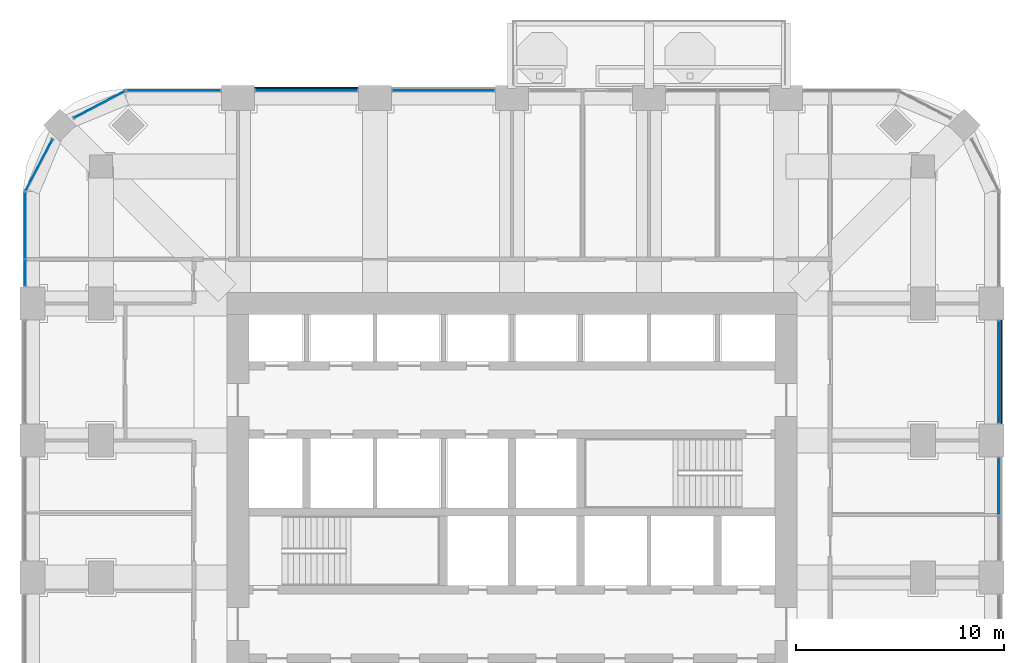
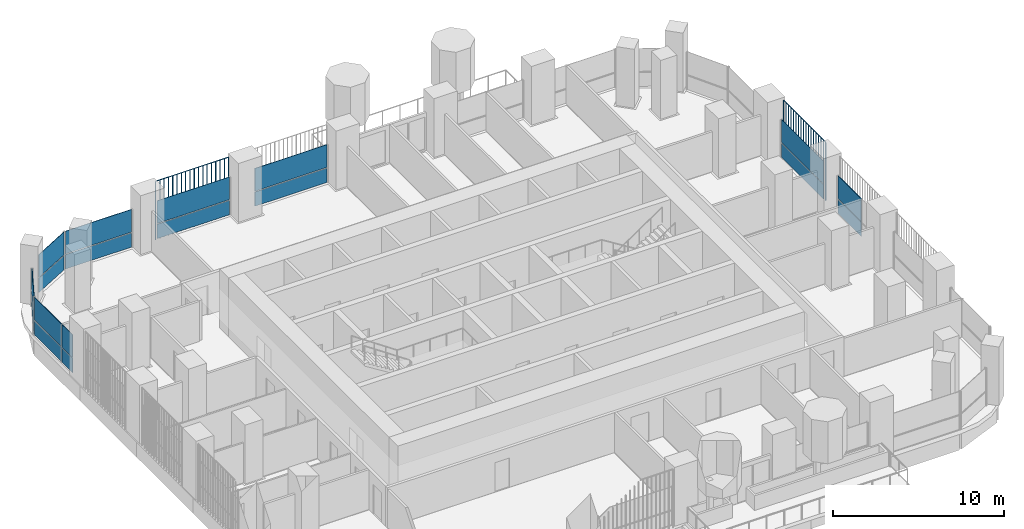
# One storey, part 11 of 19: 20 plates, 8 elements without a shape of their own.
"""IFC4 building model written with IfcOpenShell, lengths in metres."""

from ifc_helpers import new_model, si_unit, direction, frame, origin, origin_2d, place, context, subcontext, project, spatial, polyline, rectangle, outline, extrude, material, layer, layer_set, type_object, element, aggregate, save


model = new_model("IFC4")

# Units and contexts
model_context = context("Model", 3, precision=1e-05, world=origin(), true_north=direction((0.0, 1.0)))
body_context = subcontext(model_context, "Body", "Model", "MODEL_VIEW")
ifc_project = project(units=[si_unit("LENGTHUNIT", "METRE"), si_unit("AREAUNIT", "SQUARE_METRE"), si_unit("VOLUMEUNIT", "CUBIC_METRE"), si_unit("PLANEANGLEUNIT", "RADIAN"), si_unit("MASSUNIT", "GRAM", prefix="KILO")], contexts=[model_context])

# Site, building, storey
site_placement = place(None, origin())
site = spatial("IfcSite", under=ifc_project, at=site_placement, CompositionType="ELEMENT")
building_placement = place(site_placement, origin())
building = spatial("IfcBuilding", under=site, at=building_placement, Name="Cobogo Forest Laboratory Tower", CompositionType="ELEMENT")
storey_placement = place(building_placement, frame((0.0, 0.0, 172.5)))
storey = spatial("IfcBuildingStorey", under=building, at=storey_placement, Name="L39", CompositionType="ELEMENT", Elevation=172.5)

# Curtain wall, plates
ifc_material_1 = material(Name="Aluminium curtain wall", Category="aluminium")
curtain_wall_type = type_object("IfcCurtainWallType", Name="CW-2 unitised curtain wall, solar control glazing, laboratory floors zones C and D", PredefinedType="USERDEFINED", material=ifc_material_1)
curtain_wall_1_placement = place(storey_placement, origin())
curtain_wall_1 = element("IfcCurtainWall", 1, at=curtain_wall_1_placement, inside=storey, type_object=curtain_wall_type, Name="Curtain wall 11 L39", ObjectType="UNITISED CURTAIN WALL", PredefinedType="USERDEFINED")
ifc_material_2 = material(Name="Solar control insulated glass", Category="glass")
ifc_layer = layer(ifc_material_2, 0.031982421875)
ifc_layer_set = layer_set([ifc_layer], Name="GP-2 solar control glass unit 32")
plate_type_1 = type_object("IfcPlateType", Name="GP-2 solar control glass unit 32", PredefinedType="CURTAIN_PANEL", material=ifc_layer_set)
plate_1_placement = place(storey_placement, frame((49.85009765625, 24.18505859375, 0.0), z_axis=(0.0, 0.0, 1.0), x_axis=(0.0, 1.0, 0.0)))
plate_1 = element("IfcPlate", 2, at=plate_1_placement, type_object=plate_type_1, Name="CW-2 panel 2.1", PredefinedType="CURTAIN_PANEL", context=body_context, shape_type="SweptSolid", body=[
    extrude(rectangle(XDim=2.7099609375, YDim=0.031982421875, at=origin_2d()), origin(), (0.0, 0.0, 1.0), 1.02001953125),
])
plate_2_placement = place(storey_placement, frame((49.85009765625, 24.18505859375, 1.079833984375), z_axis=(0.0, 0.0, 1.0), x_axis=(0.0, 1.0, 0.0)))
plate_2 = element("IfcPlate", 3, at=plate_2_placement, type_object=plate_type_1, Name="CW-2 panel 2.2", PredefinedType="CURTAIN_PANEL", context=body_context, shape_type="SweptSolid", body=[
    extrude(rectangle(XDim=2.7099609375, YDim=0.031982421875, at=origin_2d()), origin(), (0.0, 0.0, 1.0), 1.6201171875),
])
aggregate(curtain_wall_1, [plate_1, plate_2])

curtain_wall_2_placement = place(storey_placement, origin())
curtain_wall_2 = element("IfcCurtainWall", 4, at=curtain_wall_2_placement, inside=storey, type_object=curtain_wall_type, Name="Curtain wall 12 L39", ObjectType="UNITISED CURTAIN WALL", PredefinedType="USERDEFINED")
plate_3_placement = place(storey_placement, frame((49.85009765625, 29.699951171875, 0.0), z_axis=(0.0, 0.0, 1.0), x_axis=(0.0, 1.0, 0.0)))
plate_3 = element("IfcPlate", 5, at=plate_3_placement, type_object=plate_type_1, Name="CW-2 panel 1.1", PredefinedType="CURTAIN_PANEL", context=body_context, shape_type="SweptSolid", body=[
    extrude(rectangle(XDim=4.8798828125, YDim=0.031982421875, at=origin_2d()), origin(), (0.0, 0.0, 1.0), 1.02001953125),
])
plate_4_placement = place(storey_placement, frame((49.85009765625, 29.699951171875, 1.079833984375), z_axis=(0.0, 0.0, 1.0), x_axis=(0.0, 1.0, 0.0)))
plate_4 = element("IfcPlate", 6, at=plate_4_placement, type_object=plate_type_1, Name="CW-2 panel 1.2", PredefinedType="CURTAIN_PANEL", context=body_context, shape_type="SweptSolid", body=[
    extrude(rectangle(XDim=4.8798828125, YDim=0.031982421875, at=origin_2d()), origin(), (0.0, 0.0, 1.0), 1.6201171875),
])
aggregate(curtain_wall_2, [plate_3, plate_4])

curtain_wall_3_placement = place(storey_placement, origin())
curtain_wall_3 = element("IfcCurtainWall", 7, at=curtain_wall_3_placement, inside=storey, type_object=curtain_wall_type, Name="Curtain wall 19 L39", ObjectType="UNITISED CURTAIN WALL", PredefinedType="USERDEFINED")
plate_5_placement = place(storey_placement, frame((23.10009765625, 43.25, 0.0), z_axis=(0.0, 0.0, 1.0), x_axis=(-1.0, 0.0, 0.0)))
plate_5 = element("IfcPlate", 8, at=plate_5_placement, type_object=plate_type_1, Name="CW-2 panel 1.1", PredefinedType="CURTAIN_PANEL", context=body_context, shape_type="SweptSolid", body=[
    extrude(rectangle(XDim=4.8798828125, YDim=0.031982421875, at=origin_2d()), origin(), (0.0, 0.0, 1.0), 1.02001953125),
])
plate_6_placement = place(storey_placement, frame((23.10009765625, 43.25, 1.079833984375), z_axis=(0.0, 0.0, 1.0), x_axis=(-1.0, 0.0, 0.0)))
plate_6 = element("IfcPlate", 9, at=plate_6_placement, type_object=plate_type_1, Name="CW-2 panel 1.2", PredefinedType="CURTAIN_PANEL", context=body_context, shape_type="SweptSolid", body=[
    extrude(rectangle(XDim=4.8798828125, YDim=0.031982421875, at=origin_2d()), origin(), (0.0, 0.0, 1.0), 1.6201171875),
])
aggregate(curtain_wall_3, [plate_5, plate_6])

curtain_wall_4_placement = place(storey_placement, origin())
curtain_wall_4 = element("IfcCurtainWall", 10, at=curtain_wall_4_placement, inside=storey, type_object=curtain_wall_type, Name="Curtain wall 20 L39", ObjectType="UNITISED CURTAIN WALL", PredefinedType="USERDEFINED")
plate_7_placement = place(storey_placement, frame((16.5, 43.25, 0.0), z_axis=(0.0, 0.0, 1.0), x_axis=(-1.0, 0.0, 0.0)))
plate_7 = element("IfcPlate", 11, at=plate_7_placement, type_object=plate_type_1, Name="CW-2 panel 1.1", PredefinedType="CURTAIN_PANEL", context=body_context, shape_type="SweptSolid", body=[
    extrude(rectangle(XDim=4.8798828125, YDim=0.031982421875, at=origin_2d()), origin(), (0.0, 0.0, 1.0), 1.02001953125),
])
plate_8_placement = place(storey_placement, frame((16.5, 43.25, 1.079833984375), z_axis=(0.0, 0.0, 1.0), x_axis=(-1.0, 0.0, 0.0)))
plate_8 = element("IfcPlate", 12, at=plate_8_placement, type_object=plate_type_1, Name="CW-2 panel 1.2", PredefinedType="CURTAIN_PANEL", context=body_context, shape_type="SweptSolid", body=[
    extrude(rectangle(XDim=4.8798828125, YDim=0.031982421875, at=origin_2d()), origin(), (0.0, 0.0, 1.0), 1.6201171875),
])
aggregate(curtain_wall_4, [plate_7, plate_8])

curtain_wall_5_placement = place(storey_placement, origin())
curtain_wall_5 = element("IfcCurtainWall", 13, at=curtain_wall_5_placement, inside=storey, type_object=curtain_wall_type, Name="Curtain wall 21 L39", ObjectType="UNITISED CURTAIN WALL", PredefinedType="USERDEFINED")
plate_9_placement = place(storey_placement, frame((10.10009765625, 43.25, 0.0), z_axis=(0.0, 0.0, 1.0), x_axis=(-1.0, 0.0, 0.0)))
plate_9 = element("IfcPlate", 14, at=plate_9_placement, type_object=plate_type_1, Name="CW-2 panel 1.1", PredefinedType="CURTAIN_PANEL", context=body_context, shape_type="SweptSolid", body=[
    extrude(rectangle(XDim=4.47998046875, YDim=0.031982421875, at=origin_2d()), origin(), (0.0, 0.0, 1.0), 1.02001953125),
])
plate_10_placement = place(storey_placement, frame((10.10009765625, 43.25, 1.079833984375), z_axis=(0.0, 0.0, 1.0), x_axis=(-1.0, 0.0, 0.0)))
plate_10 = element("IfcPlate", 15, at=plate_10_placement, type_object=plate_type_1, Name="CW-2 panel 1.2", PredefinedType="CURTAIN_PANEL", context=body_context, shape_type="SweptSolid", body=[
    extrude(rectangle(XDim=4.47998046875, YDim=0.031982421875, at=origin_2d()), origin(), (0.0, 0.0, 1.0), 1.6201171875),
])
aggregate(curtain_wall_5, [plate_9, plate_10])

curtain_wall_6_placement = place(storey_placement, origin())
curtain_wall_6 = element("IfcCurtainWall", 16, at=curtain_wall_6_placement, inside=storey, type_object=curtain_wall_type, Name="Curtain wall 22 L39", ObjectType="UNITISED CURTAIN WALL", PredefinedType="USERDEFINED")
plate_11_placement = place(storey_placement, frame((6.5244140625, 42.581298828125, 0.0), z_axis=(0.0, 0.0, 1.0), x_axis=(-0.885686484356, -0.464283804832, 0.0)))
plate_11 = element("IfcPlate", 17, at=plate_11_placement, type_object=plate_type_1, Name="CW-2 panel 1.1", PredefinedType="CURTAIN_PANEL", context=body_context, shape_type="SweptSolid", body=[
    extrude(rectangle(XDim=2.76025390625, YDim=0.031982421875, at=origin_2d()), origin(), (0.0, 0.0, 1.0), 1.02001953125),
])
plate_12_placement = place(storey_placement, frame((6.5244140625, 42.581298828125, 1.079833984375), z_axis=(0.0, 0.0, 1.0), x_axis=(-0.885686484356, -0.464283804832, 0.0)))
plate_12 = element("IfcPlate", 18, at=plate_12_placement, type_object=plate_type_1, Name="CW-2 panel 1.2", PredefinedType="CURTAIN_PANEL", context=body_context, shape_type="SweptSolid", body=[
    extrude(rectangle(XDim=2.76025390625, YDim=0.031982421875, at=origin_2d()), origin(), (0.0, 0.0, 1.0), 1.6201171875),
])
aggregate(curtain_wall_6, [plate_11, plate_12])

curtain_wall_7_placement = place(storey_placement, origin())
curtain_wall_7 = element("IfcCurtainWall", 19, at=curtain_wall_7_placement, inside=storey, type_object=curtain_wall_type, Name="Curtain wall 23 L39", ObjectType="UNITISED CURTAIN WALL", PredefinedType="USERDEFINED")
plate_13_placement = place(storey_placement, frame((3.61865234375, 39.675537109375, 0.0), z_axis=(0.0, 0.0, 1.0), x_axis=(-0.464283804832, -0.885686484356, 0.0)))
plate_13 = element("IfcPlate", 20, at=plate_13_placement, type_object=plate_type_1, Name="CW-2 panel 1.1", PredefinedType="CURTAIN_PANEL", context=body_context, shape_type="SweptSolid", body=[
    extrude(rectangle(XDim=2.76025390625, YDim=0.031982421875, at=origin_2d()), origin(), (0.0, 0.0, 1.0), 1.02001953125),
])
plate_14_placement = place(storey_placement, frame((3.61865234375, 39.675537109375, 1.079833984375), z_axis=(0.0, 0.0, 1.0), x_axis=(-0.464283804832, -0.885686484356, 0.0)))
plate_14 = element("IfcPlate", 21, at=plate_14_placement, type_object=plate_type_1, Name="CW-2 panel 1.2", PredefinedType="CURTAIN_PANEL", context=body_context, shape_type="SweptSolid", body=[
    extrude(rectangle(XDim=2.76025390625, YDim=0.031982421875, at=origin_2d()), origin(), (0.0, 0.0, 1.0), 1.6201171875),
])
aggregate(curtain_wall_7, [plate_13, plate_14])

curtain_wall_8_placement = place(storey_placement, origin())
curtain_wall_8 = element("IfcCurtainWall", 22, at=curtain_wall_8_placement, inside=storey, type_object=curtain_wall_type, Name="Curtain wall 24 L39", ObjectType="UNITISED CURTAIN WALL", PredefinedType="USERDEFINED")
plate_15_placement = place(storey_placement, frame((2.949951171875, 36.74755859375, 0.0), z_axis=(0.0, 0.0, 1.0), x_axis=(0.0, -1.0, 0.0)))
plate_15 = element("IfcPlate", 23, at=plate_15_placement, type_object=plate_type_1, Name="CW-2 panel 1.1", PredefinedType="CURTAIN_PANEL", context=body_context, shape_type="SweptSolid", body=[
    extrude(rectangle(XDim=3.18505859375, YDim=0.031982421875, at=origin_2d()), origin(), (0.0, 0.0, 1.0), 1.02001953125),
])
plate_16_placement = place(storey_placement, frame((2.949951171875, 36.74755859375, 1.079833984375), z_axis=(0.0, 0.0, 1.0), x_axis=(0.0, -1.0, 0.0)))
plate_16 = element("IfcPlate", 24, at=plate_16_placement, type_object=plate_type_1, Name="CW-2 panel 1.2", PredefinedType="CURTAIN_PANEL", context=body_context, shape_type="SweptSolid", body=[
    extrude(rectangle(XDim=3.18505859375, YDim=0.031982421875, at=origin_2d()), origin(), (0.0, 0.0, 1.0), 1.6201171875),
])
plate_17_placement = place(storey_placement, frame((2.949951171875, 34.4775390625, 0.0), z_axis=(0.0, 0.0, 1.0), x_axis=(0.0, -1.0, 0.0)))
plate_17 = element("IfcPlate", 25, at=plate_17_placement, type_object=plate_type_1, Name="CW-2 panel 2.1", PredefinedType="CURTAIN_PANEL", context=body_context, shape_type="SweptSolid", body=[
    extrude(rectangle(XDim=1.235107421875, YDim=0.031982421875, at=origin_2d()), origin(), (0.0, 0.0, 1.0), 1.02001953125),
])
plate_18_placement = place(storey_placement, frame((2.949951171875, 34.4775390625, 1.079833984375), z_axis=(0.0, 0.0, 1.0), x_axis=(0.0, -1.0, 0.0)))
plate_18 = element("IfcPlate", 26, at=plate_18_placement, type_object=plate_type_1, Name="CW-2 panel 2.2", PredefinedType="CURTAIN_PANEL", context=body_context, shape_type="SweptSolid", body=[
    extrude(rectangle(XDim=1.235107421875, YDim=0.031982421875, at=origin_2d()), origin(), (0.0, 0.0, 1.0), 1.6201171875),
])
aggregate(curtain_wall_8, [plate_15, plate_16, plate_17, plate_18])

# Plates
ifc_material_3 = material(Name="Terracotta", Category="masonry")
plate_type_2 = type_object("IfcPlateType", Name="TB1 terracotta baguette screen", PredefinedType="USERDEFINED", material=ifc_material_3)
plate_19_placement = place(storey_placement, frame((49.977783203125, 27.231201171875, -0.14990234375)))
element("IfcPlate", 27, at=plate_19_placement, inside=storey, type_object=plate_type_2, Name="Baguette screen E3 L39", ObjectType="BAGUETTE SCREEN", PredefinedType="USERDEFINED", context=body_context, shape_type="SweptSolid", body=[
    extrude(outline(polyline([(0.02880859375, 0.011962890625), (0.011962890625, 0.02880859375), (-0.011962890625, 0.02880859375), (-0.02880859375, 0.011962890625), (-0.02880859375, -0.011962890625), (-0.011962890625, -0.02880859375), (0.011962890625, -0.02880859375), (0.02880859375, -0.011962890625), (0.02880859375, 0.011962890625)])), frame((0.0, 0.0, 4.168701171875), z_axis=(0.0, 1.0, 0.0), x_axis=(-1.0, 0.0, 0.0)), (0.0, 0.0, 1.0), 4.9375),
    extrude(outline(polyline([(0.02880859375, 0.011962890625), (0.011962890625, 0.02880859375), (-0.011962890625, 0.02880859375), (-0.02880859375, 0.011962890625), (-0.02880859375, -0.011962890625), (-0.011962890625, -0.02880859375), (0.011962890625, -0.02880859375), (0.02880859375, -0.011962890625), (0.02880859375, 0.011962890625)])), origin(), (0.0, 0.0, 1.0), 4.137451171875),
    extrude(outline(polyline([(0.02880859375, 0.011962890625), (0.011962890625, 0.02880859375), (-0.011962890625, 0.02880859375), (-0.02880859375, 0.011962890625), (-0.02880859375, -0.011962890625), (-0.011962890625, -0.02880859375), (0.011962890625, -0.02880859375), (0.02880859375, -0.011962890625), (0.02880859375, 0.011962890625)])), frame((0.0, 0.29052734375, 0.0)), (0.0, 0.0, 1.0), 4.137451171875),
    extrude(outline(polyline([(0.02880859375, 0.011962890625), (0.011962890625, 0.02880859375), (-0.011962890625, 0.02880859375), (-0.02880859375, 0.011962890625), (-0.02880859375, -0.011962890625), (-0.011962890625, -0.02880859375), (0.011962890625, -0.02880859375), (0.02880859375, -0.011962890625), (0.02880859375, 0.011962890625)])), frame((0.0, 0.580810546875, 0.0)), (0.0, 0.0, 1.0), 4.137451171875),
    extrude(outline(polyline([(0.02880859375, 0.011962890625), (0.011962890625, 0.02880859375), (-0.011962890625, 0.02880859375), (-0.02880859375, 0.011962890625), (-0.02880859375, -0.011962890625), (-0.011962890625, -0.02880859375), (0.011962890625, -0.02880859375), (0.02880859375, -0.011962890625), (0.02880859375, 0.011962890625)])), frame((0.0, 0.871337890625, 0.0)), (0.0, 0.0, 1.0), 4.137451171875),
    extrude(outline(polyline([(0.02880859375, 0.011962890625), (0.011962890625, 0.02880859375), (-0.011962890625, 0.02880859375), (-0.02880859375, 0.011962890625), (-0.02880859375, -0.011962890625), (-0.011962890625, -0.02880859375), (0.011962890625, -0.02880859375), (0.02880859375, -0.011962890625), (0.02880859375, 0.011962890625)])), frame((0.0, 1.161865234375, 0.0)), (0.0, 0.0, 1.0), 4.137451171875),
    extrude(outline(polyline([(0.02880859375, 0.011962890625), (0.011962890625, 0.02880859375), (-0.011962890625, 0.02880859375), (-0.02880859375, 0.011962890625), (-0.02880859375, -0.011962890625), (-0.011962890625, -0.02880859375), (0.011962890625, -0.02880859375), (0.02880859375, -0.011962890625), (0.02880859375, 0.011962890625)])), frame((0.0, 1.4521484375, 0.0)), (0.0, 0.0, 1.0), 4.137451171875),
    extrude(outline(polyline([(0.02880859375, 0.011962890625), (0.011962890625, 0.02880859375), (-0.011962890625, 0.02880859375), (-0.02880859375, 0.011962890625), (-0.02880859375, -0.011962890625), (-0.011962890625, -0.02880859375), (0.011962890625, -0.02880859375), (0.02880859375, -0.011962890625), (0.02880859375, 0.011962890625)])), frame((0.0, 1.74267578125, 0.0)), (0.0, 0.0, 1.0), 4.137451171875),
    extrude(outline(polyline([(0.02880859375, 0.011962890625), (0.011962890625, 0.02880859375), (-0.011962890625, 0.02880859375), (-0.02880859375, 0.011962890625), (-0.02880859375, -0.011962890625), (-0.011962890625, -0.02880859375), (0.011962890625, -0.02880859375), (0.02880859375, -0.011962890625), (0.02880859375, 0.011962890625)])), frame((0.0, 2.033203125, 0.0)), (0.0, 0.0, 1.0), 4.137451171875),
    extrude(outline(polyline([(0.02880859375, 0.011962890625), (0.011962890625, 0.02880859375), (-0.011962890625, 0.02880859375), (-0.02880859375, 0.011962890625), (-0.02880859375, -0.011962890625), (-0.011962890625, -0.02880859375), (0.011962890625, -0.02880859375), (0.02880859375, -0.011962890625), (0.02880859375, 0.011962890625)])), frame((0.0, 2.323486328125, 0.0)), (0.0, 0.0, 1.0), 4.137451171875),
    extrude(outline(polyline([(0.02880859375, 0.011962890625), (0.011962890625, 0.02880859375), (-0.011962890625, 0.02880859375), (-0.02880859375, 0.011962890625), (-0.02880859375, -0.011962890625), (-0.011962890625, -0.02880859375), (0.011962890625, -0.02880859375), (0.02880859375, -0.011962890625), (0.02880859375, 0.011962890625)])), frame((0.0, 2.614013671875, 0.0)), (0.0, 0.0, 1.0), 4.137451171875),
    extrude(outline(polyline([(0.02880859375, 0.011962890625), (0.011962890625, 0.02880859375), (-0.011962890625, 0.02880859375), (-0.02880859375, 0.011962890625), (-0.02880859375, -0.011962890625), (-0.011962890625, -0.02880859375), (0.011962890625, -0.02880859375), (0.02880859375, -0.011962890625), (0.02880859375, 0.011962890625)])), frame((0.0, 2.904296875, 0.0)), (0.0, 0.0, 1.0), 4.137451171875),
    extrude(outline(polyline([(0.02880859375, 0.011962890625), (0.011962890625, 0.02880859375), (-0.011962890625, 0.02880859375), (-0.02880859375, 0.011962890625), (-0.02880859375, -0.011962890625), (-0.011962890625, -0.02880859375), (0.011962890625, -0.02880859375), (0.02880859375, -0.011962890625), (0.02880859375, 0.011962890625)])), frame((0.0, 3.19482421875, 0.0)), (0.0, 0.0, 1.0), 4.137451171875),
    extrude(outline(polyline([(0.02880859375, 0.011962890625), (0.011962890625, 0.02880859375), (-0.011962890625, 0.02880859375), (-0.02880859375, 0.011962890625), (-0.02880859375, -0.011962890625), (-0.011962890625, -0.02880859375), (0.011962890625, -0.02880859375), (0.02880859375, -0.011962890625), (0.02880859375, 0.011962890625)])), frame((0.0, 3.4853515625, 0.0)), (0.0, 0.0, 1.0), 4.137451171875),
    extrude(outline(polyline([(0.02880859375, 0.011962890625), (0.011962890625, 0.02880859375), (-0.011962890625, 0.02880859375), (-0.02880859375, 0.011962890625), (-0.02880859375, -0.011962890625), (-0.011962890625, -0.02880859375), (0.011962890625, -0.02880859375), (0.02880859375, -0.011962890625), (0.02880859375, 0.011962890625)])), frame((0.0, 3.775634765625, 0.0)), (0.0, 0.0, 1.0), 4.137451171875),
    extrude(outline(polyline([(0.02880859375, 0.011962890625), (0.011962890625, 0.02880859375), (-0.011962890625, 0.02880859375), (-0.02880859375, 0.011962890625), (-0.02880859375, -0.011962890625), (-0.011962890625, -0.02880859375), (0.011962890625, -0.02880859375), (0.02880859375, -0.011962890625), (0.02880859375, 0.011962890625)])), frame((0.0, 4.066162109375, 0.0)), (0.0, 0.0, 1.0), 4.137451171875),
    extrude(outline(polyline([(0.02880859375, 0.011962890625), (0.011962890625, 0.02880859375), (-0.011962890625, 0.02880859375), (-0.02880859375, 0.011962890625), (-0.02880859375, -0.011962890625), (-0.011962890625, -0.02880859375), (0.011962890625, -0.02880859375), (0.02880859375, -0.011962890625), (0.02880859375, 0.011962890625)])), frame((0.0, 4.356689453125, 0.0)), (0.0, 0.0, 1.0), 4.137451171875),
    extrude(outline(polyline([(0.02880859375, 0.011962890625), (0.011962890625, 0.02880859375), (-0.011962890625, 0.02880859375), (-0.02880859375, 0.011962890625), (-0.02880859375, -0.011962890625), (-0.011962890625, -0.02880859375), (0.011962890625, -0.02880859375), (0.02880859375, -0.011962890625), (0.02880859375, 0.011962890625)])), frame((0.0, 4.64697265625, 0.0)), (0.0, 0.0, 1.0), 4.137451171875),
    extrude(outline(polyline([(0.02880859375, 0.011962890625), (0.011962890625, 0.02880859375), (-0.011962890625, 0.02880859375), (-0.02880859375, 0.011962890625), (-0.02880859375, -0.011962890625), (-0.011962890625, -0.02880859375), (0.011962890625, -0.02880859375), (0.02880859375, -0.011962890625), (0.02880859375, 0.011962890625)])), frame((0.0, 4.9375, 0.0)), (0.0, 0.0, 1.0), 4.137451171875),
])
plate_20_placement = place(storey_placement, frame((14.03125, 43.3779296875, -0.14990234375)))
element("IfcPlate", 28, at=plate_20_placement, inside=storey, type_object=plate_type_2, Name="Baguette screen N1 L39", ObjectType="BAGUETTE SCREEN", PredefinedType="USERDEFINED", context=body_context, shape_type="SweptSolid", body=[
    extrude(outline(polyline([(0.02880859375, 0.011962890625), (0.011962890625, 0.02880859375), (-0.011962890625, 0.02880859375), (-0.02880859375, 0.011962890625), (-0.02880859375, -0.011962890625), (-0.011962890625, -0.02880859375), (0.011962890625, -0.02880859375), (0.02880859375, -0.011962890625), (0.02880859375, 0.011962890625)])), frame((0.0, 0.0, 4.168701171875), z_axis=(1.0, 0.0, 0.0), x_axis=(0.0, 1.0, 0.0)), (0.0, 0.0, 1.0), 4.9375),
    extrude(outline(polyline([(0.02880859375, 0.011962890625), (0.011962890625, 0.02880859375), (-0.011962890625, 0.02880859375), (-0.02880859375, 0.011962890625), (-0.02880859375, -0.011962890625), (-0.011962890625, -0.02880859375), (0.011962890625, -0.02880859375), (0.02880859375, -0.011962890625), (0.02880859375, 0.011962890625)])), origin(), (0.0, 0.0, 1.0), 4.137451171875),
    extrude(outline(polyline([(0.02880859375, 0.011962890625), (0.011962890625, 0.02880859375), (-0.011962890625, 0.02880859375), (-0.02880859375, 0.011962890625), (-0.02880859375, -0.011962890625), (-0.011962890625, -0.02880859375), (0.011962890625, -0.02880859375), (0.02880859375, -0.011962890625), (0.02880859375, 0.011962890625)])), frame((0.29052734375, 0.0, 0.0)), (0.0, 0.0, 1.0), 4.137451171875),
    extrude(outline(polyline([(0.02880859375, 0.011962890625), (0.011962890625, 0.02880859375), (-0.011962890625, 0.02880859375), (-0.02880859375, 0.011962890625), (-0.02880859375, -0.011962890625), (-0.011962890625, -0.02880859375), (0.011962890625, -0.02880859375), (0.02880859375, -0.011962890625), (0.02880859375, 0.011962890625)])), frame((0.580810546875, 0.0, 0.0)), (0.0, 0.0, 1.0), 4.137451171875),
    extrude(outline(polyline([(0.02880859375, 0.011962890625), (0.011962890625, 0.02880859375), (-0.011962890625, 0.02880859375), (-0.02880859375, 0.011962890625), (-0.02880859375, -0.011962890625), (-0.011962890625, -0.02880859375), (0.011962890625, -0.02880859375), (0.02880859375, -0.011962890625), (0.02880859375, 0.011962890625)])), frame((0.871337890625, 0.0, 0.0)), (0.0, 0.0, 1.0), 4.137451171875),
    extrude(outline(polyline([(0.02880859375, 0.011962890625), (0.011962890625, 0.02880859375), (-0.011962890625, 0.02880859375), (-0.02880859375, 0.011962890625), (-0.02880859375, -0.011962890625), (-0.011962890625, -0.02880859375), (0.011962890625, -0.02880859375), (0.02880859375, -0.011962890625), (0.02880859375, 0.011962890625)])), frame((1.161865234375, 0.0, 0.0)), (0.0, 0.0, 1.0), 4.137451171875),
    extrude(outline(polyline([(0.02880859375, 0.011962890625), (0.011962890625, 0.02880859375), (-0.011962890625, 0.02880859375), (-0.02880859375, 0.011962890625), (-0.02880859375, -0.011962890625), (-0.011962890625, -0.02880859375), (0.011962890625, -0.02880859375), (0.02880859375, -0.011962890625), (0.02880859375, 0.011962890625)])), frame((1.4521484375, 0.0, 0.0)), (0.0, 0.0, 1.0), 4.137451171875),
    extrude(outline(polyline([(0.02880859375, 0.011962890625), (0.011962890625, 0.02880859375), (-0.011962890625, 0.02880859375), (-0.02880859375, 0.011962890625), (-0.02880859375, -0.011962890625), (-0.011962890625, -0.02880859375), (0.011962890625, -0.02880859375), (0.02880859375, -0.011962890625), (0.02880859375, 0.011962890625)])), frame((1.74267578125, 0.0, 0.0)), (0.0, 0.0, 1.0), 4.137451171875),
    extrude(outline(polyline([(0.02880859375, 0.011962890625), (0.011962890625, 0.02880859375), (-0.011962890625, 0.02880859375), (-0.02880859375, 0.011962890625), (-0.02880859375, -0.011962890625), (-0.011962890625, -0.02880859375), (0.011962890625, -0.02880859375), (0.02880859375, -0.011962890625), (0.02880859375, 0.011962890625)])), frame((2.033203125, 0.0, 0.0)), (0.0, 0.0, 1.0), 4.137451171875),
    extrude(outline(polyline([(0.02880859375, 0.011962890625), (0.011962890625, 0.02880859375), (-0.011962890625, 0.02880859375), (-0.02880859375, 0.011962890625), (-0.02880859375, -0.011962890625), (-0.011962890625, -0.02880859375), (0.011962890625, -0.02880859375), (0.02880859375, -0.011962890625), (0.02880859375, 0.011962890625)])), frame((2.323486328125, 0.0, 0.0)), (0.0, 0.0, 1.0), 4.137451171875),
    extrude(outline(polyline([(0.02880859375, 0.011962890625), (0.011962890625, 0.02880859375), (-0.011962890625, 0.02880859375), (-0.02880859375, 0.011962890625), (-0.02880859375, -0.011962890625), (-0.011962890625, -0.02880859375), (0.011962890625, -0.02880859375), (0.02880859375, -0.011962890625), (0.02880859375, 0.011962890625)])), frame((2.614013671875, 0.0, 0.0)), (0.0, 0.0, 1.0), 4.137451171875),
    extrude(outline(polyline([(0.02880859375, 0.011962890625), (0.011962890625, 0.02880859375), (-0.011962890625, 0.02880859375), (-0.02880859375, 0.011962890625), (-0.02880859375, -0.011962890625), (-0.011962890625, -0.02880859375), (0.011962890625, -0.02880859375), (0.02880859375, -0.011962890625), (0.02880859375, 0.011962890625)])), frame((2.904296875, 0.0, 0.0)), (0.0, 0.0, 1.0), 4.137451171875),
    extrude(outline(polyline([(0.02880859375, 0.011962890625), (0.011962890625, 0.02880859375), (-0.011962890625, 0.02880859375), (-0.02880859375, 0.011962890625), (-0.02880859375, -0.011962890625), (-0.011962890625, -0.02880859375), (0.011962890625, -0.02880859375), (0.02880859375, -0.011962890625), (0.02880859375, 0.011962890625)])), frame((3.19482421875, 0.0, 0.0)), (0.0, 0.0, 1.0), 4.137451171875),
    extrude(outline(polyline([(0.02880859375, 0.011962890625), (0.011962890625, 0.02880859375), (-0.011962890625, 0.02880859375), (-0.02880859375, 0.011962890625), (-0.02880859375, -0.011962890625), (-0.011962890625, -0.02880859375), (0.011962890625, -0.02880859375), (0.02880859375, -0.011962890625), (0.02880859375, 0.011962890625)])), frame((3.4853515625, 0.0, 0.0)), (0.0, 0.0, 1.0), 4.137451171875),
    extrude(outline(polyline([(0.02880859375, 0.011962890625), (0.011962890625, 0.02880859375), (-0.011962890625, 0.02880859375), (-0.02880859375, 0.011962890625), (-0.02880859375, -0.011962890625), (-0.011962890625, -0.02880859375), (0.011962890625, -0.02880859375), (0.02880859375, -0.011962890625), (0.02880859375, 0.011962890625)])), frame((3.775634765625, 0.0, 0.0)), (0.0, 0.0, 1.0), 4.137451171875),
    extrude(outline(polyline([(0.02880859375, 0.011962890625), (0.011962890625, 0.02880859375), (-0.011962890625, 0.02880859375), (-0.02880859375, 0.011962890625), (-0.02880859375, -0.011962890625), (-0.011962890625, -0.02880859375), (0.011962890625, -0.02880859375), (0.02880859375, -0.011962890625), (0.02880859375, 0.011962890625)])), frame((4.066162109375, 0.0, 0.0)), (0.0, 0.0, 1.0), 4.137451171875),
    extrude(outline(polyline([(0.02880859375, 0.011962890625), (0.011962890625, 0.02880859375), (-0.011962890625, 0.02880859375), (-0.02880859375, 0.011962890625), (-0.02880859375, -0.011962890625), (-0.011962890625, -0.02880859375), (0.011962890625, -0.02880859375), (0.02880859375, -0.011962890625), (0.02880859375, 0.011962890625)])), frame((4.356689453125, 0.0, 0.0)), (0.0, 0.0, 1.0), 4.137451171875),
    extrude(outline(polyline([(0.02880859375, 0.011962890625), (0.011962890625, 0.02880859375), (-0.011962890625, 0.02880859375), (-0.02880859375, 0.011962890625), (-0.02880859375, -0.011962890625), (-0.011962890625, -0.02880859375), (0.011962890625, -0.02880859375), (0.02880859375, -0.011962890625), (0.02880859375, 0.011962890625)])), frame((4.64697265625, 0.0, 0.0)), (0.0, 0.0, 1.0), 4.137451171875),
    extrude(outline(polyline([(0.02880859375, 0.011962890625), (0.011962890625, 0.02880859375), (-0.011962890625, 0.02880859375), (-0.02880859375, 0.011962890625), (-0.02880859375, -0.011962890625), (-0.011962890625, -0.02880859375), (0.011962890625, -0.02880859375), (0.02880859375, -0.011962890625), (0.02880859375, 0.011962890625)])), frame((4.9375, 0.0, 0.0)), (0.0, 0.0, 1.0), 4.137451171875),
])

save(model, "model.ifc")
